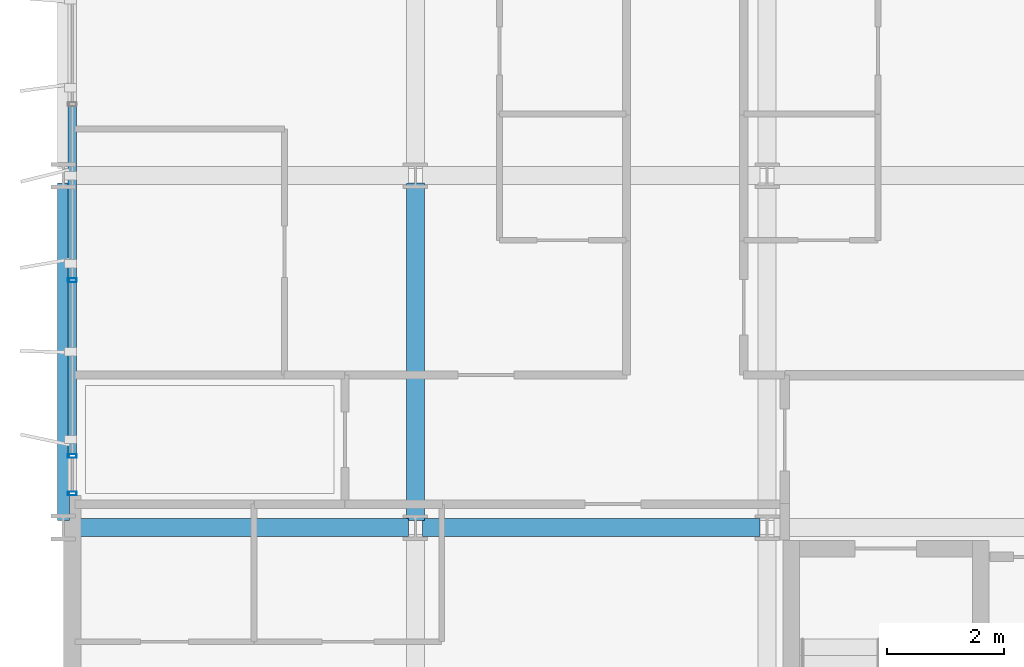
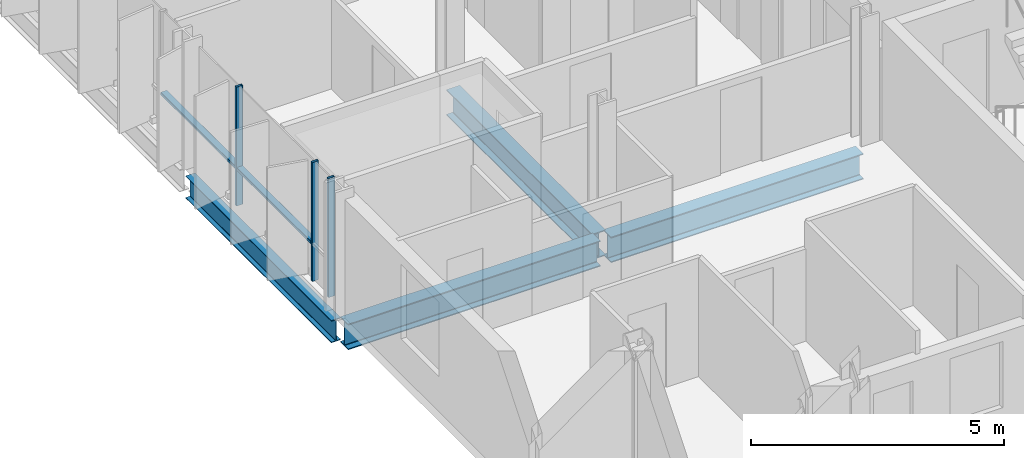
# One storey, part 2 of 39: 5 members, 4 beams, 1 element without a shape of its own.
"""IFC4 building model written with IfcOpenShell, lengths in metres."""

from ifc_helpers import new_model, si_unit, direction, frame, origin, origin_2d, place, context, subcontext, project, spatial, hollow_rectangle, i_section, extrude, material, layer, layer_set, material_profile, profile_set, type_object, element, aggregate, save


model = new_model("IFC4")

# Units and contexts
model_context = context("Model", 3, precision=1e-05, world=origin(), true_north=direction((0.0, 1.0)))
body_context = subcontext(model_context, "Body", "Model", "MODEL_VIEW")
ifc_project = project(units=[si_unit("LENGTHUNIT", "METRE"), si_unit("AREAUNIT", "SQUARE_METRE"), si_unit("VOLUMEUNIT", "CUBIC_METRE"), si_unit("PLANEANGLEUNIT", "RADIAN"), si_unit("MASSUNIT", "GRAM", prefix="KILO")], contexts=[model_context])

# Site, building, storey
site_placement = place(None, origin())
site = spatial("IfcSite", under=ifc_project, at=site_placement, CompositionType="ELEMENT")
building_placement = place(site_placement, origin())
building = spatial("IfcBuilding", under=site, at=building_placement, Name="Brevholm Reach", CompositionType="ELEMENT")
storey_placement = place(building_placement, frame((0.0, 0.0, 83.800048828125)))
storey = spatial("IfcBuildingStorey", under=building, at=storey_placement, Name="L24", CompositionType="ELEMENT", Elevation=83.800048828125)

# Beams
ifc_material_1 = material(Name="Structural Steel S355J2", Category="steel")
ifc_material_profile_1 = material_profile(ifc_material_1, i_section(OverallWidth=0.210693359375, OverallDepth=0.53955078125, WebThickness=0.01171875, FlangeThickness=0.018798828125, FilletRadius=0.0126953125, at=origin_2d()), Name="UKB 533x210x109")
ifc_profile_set_1 = profile_set([ifc_material_profile_1], Name="Structural Steel S355J2")
beam_type_1 = type_object("IfcBeamType", Name="BM-SP539", PredefinedType="SPANDREL", material=ifc_profile_set_1)
beam_placement = place(storey_placement, frame((0.0, 10.1201171875, -0.499755859375), z_axis=(0.0, 1.0, 0.0), x_axis=(-1.0, 0.0, 0.0)))
element("IfcBeam", 1, at=beam_placement, inside=storey, type_object=beam_type_1, Name="L24 SP-01B Framing Beam", PredefinedType="SPANDREL", context=body_context, shape_type="SweptSolid", body=[
    extrude(i_section(OverallWidth=0.210693359375, OverallDepth=0.53955078125, WebThickness=0.01171875, FlangeThickness=0.018798828125, FilletRadius=0.0126953125, at=origin_2d()), origin(), (0.0, 0.0, 1.0), 5.759765625),
])
ifc_material_2 = material(Name="Structural Steel S355J2", Category="steel")
ifc_material_profile_2 = material_profile(ifc_material_2, i_section(OverallWidth=0.30712890625, OverallDepth=0.6201171875, WebThickness=0.01416015625, FlangeThickness=0.023681640625, FilletRadius=0.0166015625, at=origin_2d()), Name="UKB 610x305x179")
ifc_profile_set_2 = profile_set([ifc_material_profile_2], Name="Structural Steel S355J2")
beam_type_2 = type_object("IfcBeamType", Name="BM-UKB610H", PredefinedType="USERDEFINED", material=ifc_profile_set_2)
for number, where, z_axis, x_axis, name in (
    (2, (0.1201171875, 10.0, -0.5400390625), (1.0, 0.0, 0.0), (0.0, 1.0, 0.0), "L24 G-06 Framing Beam"),
    (3, (6.1201171875, 10.0, -0.5400390625), (1.0, 0.0, 0.0), (0.0, 1.0, 0.0), "L24 G-06 Framing Beam"),
    (4, (6.0, 10.1201171875, -0.5400390625), (0.0, 1.0, 0.0), (-1.0, 0.0, 0.0), "L24 G-06 Framing Beam"),
):
    element("IfcBeam", number, at=place(storey_placement, frame(where, z_axis=z_axis, x_axis=x_axis)), inside=storey, type_object=beam_type_2, Name=name, ObjectType="GIRDER", PredefinedType="USERDEFINED", context=body_context, shape_type="SweptSolid", body=[
        extrude(i_section(OverallWidth=0.30712890625, OverallDepth=0.6201171875, WebThickness=0.01416015625, FlangeThickness=0.023681640625, FilletRadius=0.0166015625, at=origin_2d()), origin(), (0.0, 0.0, 1.0), 5.759765625),
    ])

# Curtain wall, members
ifc_material_3 = material(Name="Dark Anodised Aluminium 6063-T6 and Solar-Control Glass", Category="aluminium")
ifc_layer = layer(ifc_material_3, 0.14990234375)
ifc_layer_set = layer_set([ifc_layer], Name="Dark Anodised Aluminium 6063-T6 and Solar-Control Glass")
curtain_wall_type = type_object("IfcCurtainWallType", Name="CW-01", PredefinedType="NOTDEFINED", material=ifc_layer_set)
curtain_wall_placement = place(storey_placement, origin())
curtain_wall = element("IfcCurtainWall", 5, at=curtain_wall_placement, inside=storey, type_object=curtain_wall_type, Name="L24 Curtain Wall CW-01", PredefinedType="NOTDEFINED")
ifc_material_4 = material(Name="Dark Anodised Aluminium 6063-T6", Category="aluminium")
ifc_material_profile_3 = material_profile(ifc_material_4, hollow_rectangle(XDim=0.06494140625, YDim=0.14990234375, WallThickness=0.0048828125, InnerFilletRadius=0.0048828125, OuterFilletRadius=0.010009765625, at=origin_2d()), Name="RHS 150x65x5")
ifc_profile_set_3 = profile_set([ifc_material_profile_3], Name="Dark Anodised Aluminium 6063-T6")
member_type_1 = type_object("IfcMemberType", Name="CWM-150", PredefinedType="MULLION", material=ifc_profile_set_3)
member_1_placement = place(storey_placement, frame((0.14990234375, 14.219970703125, 0.0), z_axis=(0.0, 0.0, 1.0), x_axis=(0.0, -1.0, 0.0)))
member_1 = element("IfcMember", 6, at=member_1_placement, type_object=member_type_1, Name="CM-150 Mullion 4", PredefinedType="MULLION", context=body_context, shape_type="SweptSolid", body=[
    extrude(hollow_rectangle(XDim=0.06494140625, YDim=0.14990234375, WallThickness=0.0048828125, InnerFilletRadius=0.0048828125, OuterFilletRadius=0.010009765625, at=origin_2d()), origin(), (0.0, 0.0, 1.0), 2.869873046875),
])
member_2_placement = place(storey_placement, frame((0.14990234375, 11.219970703125, 0.0), z_axis=(0.0, 0.0, 1.0), x_axis=(0.0, -1.0, 0.0)))
member_2 = element("IfcMember", 7, at=member_2_placement, type_object=member_type_1, Name="CM-150 Mullion 5", PredefinedType="MULLION", context=body_context, shape_type="SweptSolid", body=[
    extrude(hollow_rectangle(XDim=0.06494140625, YDim=0.14990234375, WallThickness=0.0048828125, InnerFilletRadius=0.0048828125, OuterFilletRadius=0.010009765625, at=origin_2d()), origin(), (0.0, 0.0, 1.0), 2.869873046875),
])
member_3_placement = place(storey_placement, frame((0.14990234375, 10.58251953125, 0.0), z_axis=(0.0, 0.0, 1.0), x_axis=(0.0, -1.0, 0.0)))
member_3 = element("IfcMember", 8, at=member_3_placement, type_object=member_type_1, Name="CM-150 Mullion 6", PredefinedType="MULLION", context=body_context, shape_type="SweptSolid", body=[
    extrude(hollow_rectangle(XDim=0.06494140625, YDim=0.14990234375, WallThickness=0.0048828125, InnerFilletRadius=0.0048828125, OuterFilletRadius=0.010009765625, at=origin_2d()), origin(), (0.0, 0.0, 1.0), 2.869873046875),
])
ifc_material_5 = material(Name="Dark Anodised Aluminium 6063-T6", Category="aluminium")
ifc_material_profile_4 = material_profile(ifc_material_5, hollow_rectangle(XDim=0.06494140625, YDim=0.14990234375, WallThickness=0.0048828125, InnerFilletRadius=0.0048828125, OuterFilletRadius=0.010009765625, at=origin_2d()), Name="RHS 150x65x5")
ifc_profile_set_4 = profile_set([ifc_material_profile_4], Name="Dark Anodised Aluminium 6063-T6")
member_type_2 = type_object("IfcMemberType", Name="CWT-150", PredefinedType="NOTDEFINED", material=ifc_profile_set_4)
member_4_placement = place(storey_placement, frame((0.14990234375, 17.1875, 0.89990234375), z_axis=(0.0, -1.0, 0.0), x_axis=(0.0, 0.0, 1.0)))
member_4 = element("IfcMember", 9, at=member_4_placement, type_object=member_type_2, Name="CT-150 Transom 3.1", ObjectType="TRANSOM", PredefinedType="USERDEFINED", context=body_context, shape_type="SweptSolid", body=[
    extrude(hollow_rectangle(XDim=0.06494140625, YDim=0.14990234375, WallThickness=0.0048828125, InnerFilletRadius=0.0048828125, OuterFilletRadius=0.010009765625, at=origin_2d()), origin(), (0.0, 0.0, 1.0), 2.93505859375),
])
member_5_placement = place(storey_placement, frame((0.14990234375, 14.1875, 0.89990234375), z_axis=(0.0, -1.0, 0.0), x_axis=(0.0, 0.0, 1.0)))
member_5 = element("IfcMember", 10, at=member_5_placement, type_object=member_type_2, Name="CT-150 Transom 4.1", ObjectType="TRANSOM", PredefinedType="USERDEFINED", context=body_context, shape_type="SweptSolid", body=[
    extrude(hollow_rectangle(XDim=0.06494140625, YDim=0.14990234375, WallThickness=0.0048828125, InnerFilletRadius=0.0048828125, OuterFilletRadius=0.010009765625, at=origin_2d()), origin(), (0.0, 0.0, 1.0), 2.93505859375),
])
aggregate(curtain_wall, [member_1, member_2, member_3, member_4, member_5])

save(model, "model.ifc")
